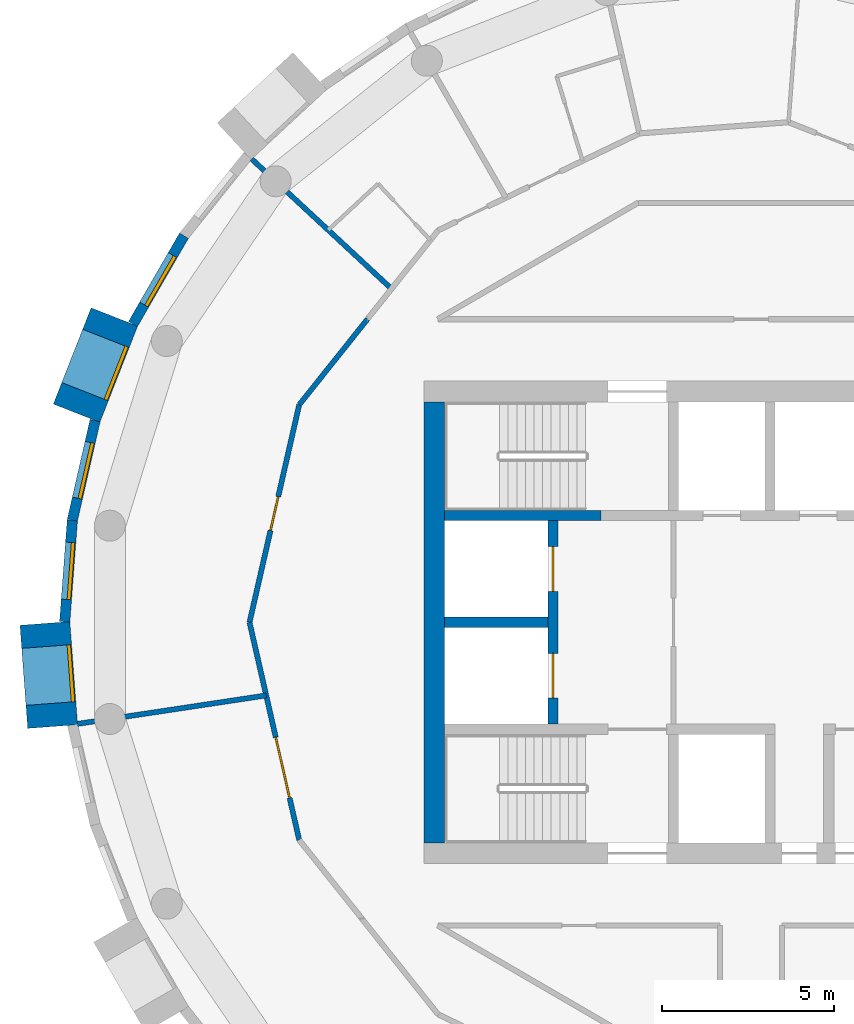
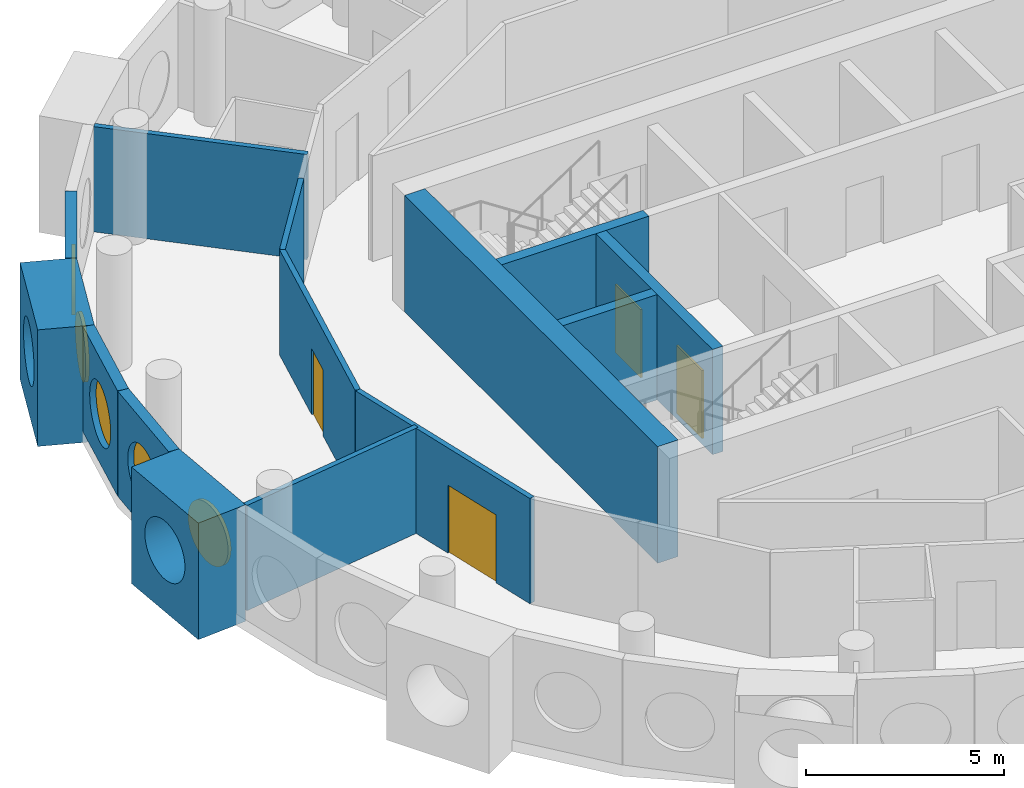
# One storey, part 6 of 13: 14 walls, 5 windows, 4 doors, 9 openings.
"""IFC4 building model written with IfcOpenShell, lengths in metres."""

import ifcopenshell
import ifcopenshell.guid

model = None  # the IFC model being written
_history = None  # IfcOwnerHistory: only IFC2X3 demands one
_inside = {}  # id of a spatial element -> (the spatial element, [elements in it])
_under = {}  # id of a project, library or spatial element -> (it, [spatial elements below it])
_declared = {}  # id of a project -> (the project, [libraries it declares])
_typed = {}  # id of a type object -> (the type object, [elements of that type])
_made_of = {}  # id of a material, layer set ... -> (it, [elements and type objects made of it])


def new_model(schema):
    """Start an empty IFC model of exactly this schema.

    Asked for "IFC4X3", IfcOpenShell would pick the latest addendum, in which some entities
    have other attributes; the version numbers below select the first issue.
    IFC2X3 requires an IfcOwnerHistory on every rooted entity: one is made here for all.
    """
    global model, _history
    if schema == "IFC4X3":
        model = ifcopenshell.file(schema_version=(4, 3, 0, 0))
    else:
        model = ifcopenshell.file(schema=schema)
    _inside.clear()
    _under.clear()
    _declared.clear()
    _typed.clear()
    _made_of.clear()
    _history = None
    if model.schema == "IFC2X3":
        org = make("IfcOrganization", Name="unknown")
        user = make(
            "IfcPersonAndOrganization",
            ThePerson=make("IfcPerson", FamilyName="unknown"),
            TheOrganization=org,
        )
        app = make(
            "IfcApplication",
            ApplicationDeveloper=org,
            Version="unknown",
            ApplicationFullName="unknown",
            ApplicationIdentifier="unknown",
        )
        _history = make(
            "IfcOwnerHistory",
            OwningUser=user,
            OwningApplication=app,
            ChangeAction="ADDED",
            CreationDate=0,
        )
    return model


def make(cls, **values):
    """One entity of the class cls with the attributes given. An attribute that is None is left unset."""
    return model.create_entity(
        cls, **{name: value for name, value in values.items() if value is not None}
    )


def rooted(cls, **values):
    """An entity with a GlobalId (a new one), such as an element, a storey or a relation."""
    return make(cls, GlobalId=ifcopenshell.guid.new(), OwnerHistory=_history, **values)


def si_unit(unit_type, name, prefix=None):
    """IfcSIUnit, for example si_unit("LENGTHUNIT", "METRE", prefix="MILLI")."""
    return make("IfcSIUnit", UnitType=unit_type, Prefix=prefix, Name=name)


def assignment(units):
    """IfcUnitAssignment: the units of a project."""
    return None if units is None else make("IfcUnitAssignment", Units=units)


def point(xyz):
    """IfcCartesianPoint."""
    return None if xyz is None else make("IfcCartesianPoint", Coordinates=xyz)


def direction(xyz):
    """IfcDirection."""
    return None if xyz is None else make("IfcDirection", DirectionRatios=xyz)


def frame(location, z_axis=None, x_axis=None):
    """IfcAxis2Placement3D, a coordinate frame: its origin and axes. An axis left out is left unset."""
    return make(
        "IfcAxis2Placement3D",
        Location=point(location),
        Axis=direction(z_axis),
        RefDirection=direction(x_axis),
    )


def frame_2d(location, x_axis=None):
    """IfcAxis2Placement2D, a coordinate frame in the plane: its origin and x axis."""
    return make(
        "IfcAxis2Placement2D", Location=point(location), RefDirection=direction(x_axis)
    )


def origin():
    """The frame at (0, 0, 0) with its axes left unset."""
    return frame((0.0, 0.0, 0.0))


def origin_2d():
    """The frame at (0, 0) in the plane with its x axis left unset."""
    return frame_2d((0.0, 0.0))


def place(relative_to, where):
    """IfcLocalPlacement: puts the frame where relative to a parent placement (None: the world)."""
    return make(
        "IfcLocalPlacement", PlacementRelTo=relative_to, RelativePlacement=where
    )


def context(
    kind, dimensions, precision=None, world=None, true_north=None, identifier=None
):
    """IfcGeometricRepresentationContext, for example the 3D "Model" context."""
    return make(
        "IfcGeometricRepresentationContext",
        ContextIdentifier=identifier,
        ContextType=kind,
        CoordinateSpaceDimension=dimensions,
        Precision=precision,
        WorldCoordinateSystem=world,
        TrueNorth=true_north,
    )


def subcontext(parent, identifier, kind, view, scale=None):
    """IfcGeometricRepresentationSubContext, for example "Body" below "Model"."""
    return make(
        "IfcGeometricRepresentationSubContext",
        ContextIdentifier=identifier,
        ContextType=kind,
        ParentContext=parent,
        TargetScale=scale,
        TargetView=view,
    )


def project(units=None, contexts=None):
    """IfcProject with its units and contexts."""
    return rooted(
        "IfcProject",
        Name="project",
        RepresentationContexts=contexts,
        UnitsInContext=assignment(units),
    )


def spatial(cls, under=None, at=None, **own):
    """A site, building, storey or space (cls), placed at a placement, below another one or the project."""
    s = rooted(cls, ObjectPlacement=at, **own)
    if under is not None:
        _under.setdefault(under.id(), (under, []))[1].append(s)
    return s


def profile(cls, at=None, kind="AREA", **sizes):
    """A parametric profile (cls). Its sizes go by their IFC names, for example OverallWidth=200.0."""
    return make(cls, ProfileType=kind, Position=at, **sizes)


def rectangle(**sizes):
    """IfcRectangleProfileDef."""
    return profile("IfcRectangleProfileDef", **sizes)


def circle(**sizes):
    """IfcCircleProfileDef."""
    return profile("IfcCircleProfileDef", **sizes)


def extrude(swept, where, along, depth):
    """IfcExtrudedAreaSolid: the profile swept, set in the frame where, extruded along a direction by depth."""
    return make(
        "IfcExtrudedAreaSolid",
        SweptArea=swept,
        Position=where,
        ExtrudedDirection=direction(along),
        Depth=depth,
    )


def shape(context_of_items, identifier, shape_type, items):
    """IfcShapeRepresentation: the items that make up one representation, for example the "Body"."""
    return make(
        "IfcShapeRepresentation",
        ContextOfItems=context_of_items,
        RepresentationIdentifier=identifier,
        RepresentationType=shape_type,
        Items=items,
    )


def material(Name=None, Category=None):
    """IfcMaterial."""
    return make("IfcMaterial", Name=Name, Category=Category)


def layer(
    of_material, thickness, ventilated=None, Name=None, Category=None, Priority=None
):
    """IfcMaterialLayer: one layer of a wall or slab, of a material (None: an air gap)."""
    return make(
        "IfcMaterialLayer",
        Material=of_material,
        LayerThickness=thickness,
        IsVentilated=ventilated,
        Name=Name,
        Category=Category,
        Priority=Priority,
    )


def layer_set(layers, Name=None):
    """IfcMaterialLayerSet."""
    return make("IfcMaterialLayerSet", MaterialLayers=layers, LayerSetName=Name)


def made_of(thing, what):
    """Note that an element or type object is made of a material, layer set ...; save() writes the relation."""
    if what is not None:
        _made_of.setdefault(what.id(), (what, []))[1].append(thing)
    return thing


def type_object(cls, material=None, **own):
    """A type object (cls), such as IfcWallType, which elements share."""
    return made_of(rooted(cls, **own), material)


def element(
    cls,
    number,
    at=None,
    inside=None,
    cuts=None,
    type_object=None,
    material=None,
    context=None,
    identifier="Body",
    shape_type=None,
    held_by="IfcProductDefinitionShape",
    body=None,
    shapes=None,
    **own,
):
    """One element of the class cls, such as IfcWall. Its Tag is "e" and its number.

    at: its placement. inside: the storey or other place that contains it. cuts: it is an
    opening in that element (IfcRelVoidsElement). A single representation is given by context,
    identifier, shape_type and body (its items); several are given by shapes. held_by: the class
    of the entity that holds the representations. save() writes the other relations.
    """
    e = rooted(cls, Tag="e%d" % number, ObjectPlacement=at, **own)
    if body is not None:
        shapes = [shape(context, identifier, shape_type, body)]
    if shapes is not None:
        e.Representation = make(held_by, Representations=shapes)
    if inside is not None:
        _inside.setdefault(inside.id(), (inside, []))[1].append(e)
    if cuts is not None:
        rooted(
            "IfcRelVoidsElement", RelatingBuildingElement=cuts, RelatedOpeningElement=e
        )
    if type_object is not None:
        _typed.setdefault(type_object.id(), (type_object, []))[1].append(e)
    return made_of(e, material)


def fill(opening, filler):
    """IfcRelFillsElement: the door or window that sits in an opening."""
    return rooted(
        "IfcRelFillsElement",
        RelatingOpeningElement=opening,
        RelatedBuildingElement=filler,
    )


def aggregate(whole, parts):
    """IfcRelAggregates: a whole, such as a stair, and the parts it consists of."""
    return rooted("IfcRelAggregates", RelatingObject=whole, RelatedObjects=parts)


def save(model, path):
    """Write the relations noted so far, then the file.

    IfcRelAggregates (storeys below a building ...), IfcRelContainedInSpatialStructure (elements
    in a storey), IfcRelDefinesByType, IfcRelAssociatesMaterial and IfcRelDeclares: one each for
    every whole, place, type object, material and project.
    """
    for whole, parts in _under.values():
        aggregate(whole, parts)
    for where, things in _inside.values():
        rooted(
            "IfcRelContainedInSpatialStructure",
            RelatedElements=things,
            RelatingStructure=where,
        )
    for kind, things in _typed.values():
        rooted("IfcRelDefinesByType", RelatedObjects=things, RelatingType=kind)
    for what, things in _made_of.values():
        rooted("IfcRelAssociatesMaterial", RelatedObjects=things, RelatingMaterial=what)
    for by, libraries in _declared.values():
        rooted("IfcRelDeclares", RelatingContext=by, RelatedDefinitions=libraries)
    model.write(path)


model = new_model("IFC4")

# Units and contexts
model_context = context("Model", 3, precision=1e-05, world=origin(), true_north=direction((0.0, 1.0)))
body_context = subcontext(model_context, "Body", "Model", "MODEL_VIEW")
ifc_project = project(units=[si_unit("LENGTHUNIT", "METRE"), si_unit("AREAUNIT", "SQUARE_METRE"), si_unit("VOLUMEUNIT", "CUBIC_METRE"), si_unit("PLANEANGLEUNIT", "RADIAN"), si_unit("MASSUNIT", "GRAM", prefix="KILO")], contexts=[model_context])

# Site, building, storey
site_placement = place(None, origin())
site = spatial("IfcSite", under=ifc_project, at=site_placement, CompositionType="ELEMENT")
building_placement = place(site_placement, origin())
building = spatial("IfcBuilding", under=site, at=building_placement, Name="Tracery Tower", CompositionType="ELEMENT")
storey_placement = place(building_placement, frame((0.0, 0.0, 316.199951171875)))
storey = spatial("IfcBuildingStorey", under=building, at=storey_placement, Name="L82", CompositionType="ELEMENT", Elevation=316.199951171875)

# Wall
ifc_material_1 = material(Name="Concrete C40/50", Category="concrete")
ifc_layer_1 = layer(ifc_material_1, 0.60009765625)
ifc_layer_set_1 = layer_set([ifc_layer_1], Name="Core wall 600 C40")
wall_type_1 = type_object("IfcWallType", Name="Core wall 600 C40", PredefinedType="SOLIDWALL", material=ifc_layer_set_1)
wall_1_placement = place(storey_placement, frame((-9.199951171875, -6.39990234375, 0.0), z_axis=(0.0, 0.0, 1.0), x_axis=(0.0, 1.0, 0.0)))
element("IfcWall", 1, at=wall_1_placement, inside=storey, type_object=wall_type_1, Name="L82 outer W", PredefinedType="SOLIDWALL", context=body_context, shape_type="SweptSolid", body=[
    extrude(rectangle(XDim=12.7998046875, YDim=0.60009765625, at=frame_2d((6.39990234375, 0.0))), origin(), (0.0, 0.0, 1.0), 3.60009765625),
])

# Wall, opening, window
ifc_material_2 = material(Name="Precast concrete C50/60", Category="concrete")
ifc_layer_2 = layer(ifc_material_2, 1.449951171875)
ifc_layer_set_2 = layer_set([ifc_layer_2], Name="Deep-set bay unit 3000 x 3600, slab edge 350")
wall_type_2 = type_object("IfcWallType", Name="Deep-set bay unit 3000 x 3600, slab edge 350", PredefinedType="ELEMENTEDWALL", material=ifc_layer_set_2)
wall_2_placement = place(storey_placement, frame((-18.47998046875, 8.8642578125, -0.349853515625), z_axis=(0.0, 0.0, 1.0), x_axis=(-0.36537792632, -0.93085926485, 0.0)))
wall_2 = element("IfcWall", 2, at=wall_2_placement, inside=storey, type_object=wall_type_2, Name="Deep-set bay unit 19 at L82", PredefinedType="ELEMENTEDWALL", context=body_context, shape_type="SweptSolid", body=[
    extrude(rectangle(XDim=3.000244140625, YDim=1.449951171875, at=frame_2d((1.5, 0.0))), origin(), (0.0, 0.0, 1.0), 3.599853515625),
])
opening_1_placement = place(wall_2_placement, frame((1.5, 0.0, 1.89990234375)))
opening_1 = element("IfcOpeningElement", 3, at=opening_1_placement, cuts=wall_2, Name="Opening WN1", PredefinedType="OPENING", context=body_context, shape_type="SweptSolid", body=[
    extrude(circle(Radius=0.9000244140625, at=origin_2d()), frame((0.0, 0.73486328125, 0.0), z_axis=(0.0, -1.0, 0.0), x_axis=(1.0, 0.0, 0.0)), (0.0, 0.0, 1.0), 1.469970703125),
])
ifc_material_3 = material(Name="Aluminium frame with tinted double glazing", Category="aluminium")
window_type = type_object("IfcWindowType", Name="Round window 1800", PartitioningType="SINGLE_PANEL", PredefinedType="WINDOW", material=ifc_material_3)
window_1_placement = place(opening_1_placement, origin())
window_1 = element("IfcWindow", 4, at=window_1_placement, inside=storey, type_object=window_type, Name="Round window 19 at L82", OverallHeight=1.800048828125, OverallWidth=1.800048828125, PartitioningType="SINGLE_PANEL", PredefinedType="WINDOW", context=body_context, shape_type="SweptSolid", body=[
    extrude(circle(Radius=0.9000244140625, at=origin_2d()), frame((0.0, 0.69482421875, 0.0), z_axis=(0.0, -1.0, 0.0), x_axis=(1.0, 0.0, 0.0)), (0.0, 0.0, 1.0), 0.10009765625),
])
fill(opening_1, window_1)

wall_3_placement = place(storey_placement, frame((-20.49609375, -0.03173828125, -0.349853515625), z_axis=(0.0, 0.0, 1.0), x_axis=(0.074785902127, -0.997199613339, 0.0)))
wall_3 = element("IfcWall", 5, at=wall_3_placement, inside=storey, type_object=wall_type_2, Name="Deep-set bay unit 22 at L82", PredefinedType="ELEMENTEDWALL", context=body_context, shape_type="SweptSolid", body=[
    extrude(rectangle(XDim=3.0, YDim=1.449951171875, at=frame_2d((1.5, 0.0))), origin(), (0.0, 0.0, 1.0), 3.599853515625),
])
opening_2_placement = place(wall_3_placement, frame((1.5, 0.0, 1.89990234375)))
opening_2 = element("IfcOpeningElement", 6, at=opening_2_placement, cuts=wall_3, Name="Opening WN1", PredefinedType="OPENING", context=body_context, shape_type="SweptSolid", body=[
    extrude(circle(Radius=0.9000244140625, at=origin_2d()), frame((0.0, 0.73486328125, 0.0), z_axis=(0.0, -1.0, 0.0), x_axis=(1.0, 0.0, 0.0)), (0.0, 0.0, 1.0), 1.469970703125),
])
window_2_placement = place(opening_2_placement, origin())
window_2 = element("IfcWindow", 7, at=window_2_placement, inside=storey, type_object=window_type, Name="Round window 22 at L82", OverallHeight=1.800048828125, OverallWidth=1.800048828125, PartitioningType="SINGLE_PANEL", PredefinedType="WINDOW", context=body_context, shape_type="SweptSolid", body=[
    extrude(circle(Radius=0.9000244140625, at=origin_2d()), frame((0.0, 0.69482421875, 0.0), z_axis=(0.0, -1.0, 0.0), x_axis=(1.0, 0.0, 0.0)), (0.0, 0.0, 1.0), 0.10009765625),
])
fill(opening_2, window_2)

ifc_material_4 = material(Name="Precast concrete C50/60", Category="concrete")
ifc_layer_3 = layer(ifc_material_4, 0.300048828125)
ifc_layer_set_3 = layer_set([ifc_layer_3], Name="Facade panel 3000 x 3250")
wall_type_3 = type_object("IfcWallType", Name="Facade panel 3000 x 3250", PredefinedType="SOLIDWALL", material=ifc_layer_set_3)
wall_4_placement = place(storey_placement, frame((-16.460205078125, 11.222412109375, 0.0), z_axis=(0.0, 0.0, 1.0), x_axis=(-0.499950756475, -0.86605383268, 0.0)))
wall_4 = element("IfcWall", 8, at=wall_4_placement, inside=storey, type_object=wall_type_3, Name="Facade panel 18 at L82", PredefinedType="SOLIDWALL", context=body_context, shape_type="SweptSolid", body=[
    extrude(rectangle(XDim=2.962158203125, YDim=0.300048828125, at=frame_2d((1.48095703125, 0.0))), origin(), (0.0, 0.0, 1.0), 3.25),
])
opening_3_placement = place(wall_4_placement, frame((1.48095703125, 0.0, 1.5498046875)))
opening_3 = element("IfcOpeningElement", 9, at=opening_3_placement, cuts=wall_4, Name="Opening WN1", PredefinedType="OPENING", context=body_context, shape_type="SweptSolid", body=[
    extrude(circle(Radius=0.9000244140625, at=origin_2d()), frame((0.0, 0.159912109375, 0.0), z_axis=(0.0, -1.0, 0.0), x_axis=(1.0, 0.0, 0.0)), (0.0, 0.0, 1.0), 0.320068359375),
])
window_3_placement = place(opening_3_placement, origin())
window_3 = element("IfcWindow", 10, at=window_3_placement, inside=storey, type_object=window_type, Name="Round window 18 at L82", OverallHeight=1.800048828125, OverallWidth=1.800048828125, PartitioningType="SINGLE_PANEL", PredefinedType="WINDOW", context=body_context, shape_type="SweptSolid", body=[
    extrude(circle(Radius=0.9000244140625, at=origin_2d()), frame((0.0, 0.1201171875, 0.0), z_axis=(0.0, -1.0, 0.0), x_axis=(1.0, 0.0, 0.0)), (0.0, 0.0, 1.0), 0.10009765625),
])
fill(opening_3, window_3)

wall_5_placement = place(storey_placement, frame((-19.0400390625, 5.857177734375, 0.0), z_axis=(0.0, 0.0, 1.0), x_axis=(-0.222529389789, -0.974925982155, 0.0)))
wall_5 = element("IfcWall", 11, at=wall_5_placement, inside=storey, type_object=wall_type_3, Name="Facade panel 20 at L82", PredefinedType="SOLIDWALL", context=body_context, shape_type="SweptSolid", body=[
    extrude(rectangle(XDim=2.962158203125, YDim=0.300048828125, at=frame_2d((1.48095703125, 0.0))), origin(), (0.0, 0.0, 1.0), 3.25),
])
opening_4_placement = place(wall_5_placement, frame((1.48095703125, 0.0, 1.5498046875)))
opening_4 = element("IfcOpeningElement", 12, at=opening_4_placement, cuts=wall_5, Name="Opening WN1", PredefinedType="OPENING", context=body_context, shape_type="SweptSolid", body=[
    extrude(circle(Radius=0.9000244140625, at=origin_2d()), frame((0.0, 0.159912109375, 0.0), z_axis=(0.0, -1.0, 0.0), x_axis=(1.0, 0.0, 0.0)), (0.0, 0.0, 1.0), 0.320068359375),
])
window_4_placement = place(opening_4_placement, origin())
window_4 = element("IfcWindow", 13, at=window_4_placement, inside=storey, type_object=window_type, Name="Round window 20 at L82", OverallHeight=1.800048828125, OverallWidth=1.800048828125, PartitioningType="SINGLE_PANEL", PredefinedType="WINDOW", context=body_context, shape_type="SweptSolid", body=[
    extrude(circle(Radius=0.9000244140625, at=origin_2d()), frame((0.0, 0.1201171875, 0.0), z_axis=(0.0, -1.0, 0.0), x_axis=(1.0, 0.0, 0.0)), (0.0, 0.0, 1.0), 0.10009765625),
])
fill(opening_4, window_4)

wall_6_placement = place(storey_placement, frame((-19.69921875, 2.96923828125, 0.0), z_axis=(0.0, 0.0, 1.0), x_axis=(-0.07474897196, -0.997202382263, 0.0)))
wall_6 = element("IfcWall", 14, at=wall_6_placement, inside=storey, type_object=wall_type_3, Name="Facade panel 21 at L82", PredefinedType="SOLIDWALL", context=body_context, shape_type="SweptSolid", body=[
    extrude(rectangle(XDim=2.96240234375, YDim=0.300048828125, at=frame_2d((1.481201171875, 0.0))), origin(), (0.0, 0.0, 1.0), 3.25),
])
opening_5_placement = place(wall_6_placement, frame((1.48095703125, 0.0, 1.5498046875)))
opening_5 = element("IfcOpeningElement", 15, at=opening_5_placement, cuts=wall_6, Name="Opening WN1", PredefinedType="OPENING", context=body_context, shape_type="SweptSolid", body=[
    extrude(circle(Radius=0.9000244140625, at=origin_2d()), frame((0.0, 0.159912109375, 0.0), z_axis=(0.0, -1.0, 0.0), x_axis=(1.0, 0.0, 0.0)), (0.0, 0.0, 1.0), 0.320068359375),
])
window_5_placement = place(opening_5_placement, origin())
window_5 = element("IfcWindow", 16, at=window_5_placement, inside=storey, type_object=window_type, Name="Round window 21 at L82", OverallHeight=1.800048828125, OverallWidth=1.800048828125, PartitioningType="SINGLE_PANEL", PredefinedType="WINDOW", context=body_context, shape_type="SweptSolid", body=[
    extrude(circle(Radius=0.9000244140625, at=origin_2d()), frame((0.0, 0.1201171875, 0.0), z_axis=(0.0, -1.0, 0.0), x_axis=(1.0, 0.0, 0.0)), (0.0, 0.0, 1.0), 0.10009765625),
])
fill(opening_5, window_5)

# Walls
ifc_material_5 = material(Name="Plasterboard on steel studs", Category="steel")
ifc_layer_4 = layer(ifc_material_5, 0.14990234375)
ifc_layer_set_4 = layer_set([ifc_layer_4], Name="Partition 150 acoustic unit wall")
wall_type_4 = type_object("IfcWallType", Name="Partition 150 acoustic unit wall", PredefinedType="PARTITIONING", material=ifc_layer_set_4)
wall_7_placement = place(storey_placement, frame((-14.492919921875, 13.447998046875, 0.0), z_axis=(0.0, 0.0, 1.0), x_axis=(0.732845293448, -0.680395308531, 0.0)))
element("IfcWall", 17, at=wall_7_placement, inside=storey, type_object=wall_type_4, Name="Unit wall RC9-056", PredefinedType="PARTITIONING", context=body_context, shape_type="SweptSolid", body=[
    extrude(rectangle(XDim=5.5390625, YDim=0.14990234375, at=frame_2d((2.76953125, 0.0))), origin(), (0.0, 0.0, 1.0), 3.25),
])
wall_8_placement = place(storey_placement, frame((-19.551025390625, -2.947021484375, 0.0), z_axis=(0.0, 0.0, 1.0), x_axis=(0.988824228734, 0.149086031099, 0.0)))
element("IfcWall", 18, at=wall_8_placement, inside=storey, type_object=wall_type_4, Name="Unit wall RC9-057", PredefinedType="PARTITIONING", context=body_context, shape_type="SweptSolid", body=[
    extrude(rectangle(XDim=5.5400390625, YDim=0.14990234375, at=frame_2d((2.77001953125, 0.0))), origin(), (0.0, 0.0, 1.0), 3.25),
])

# Wall, opening, door
ifc_material_6 = material(Name="Plasterboard on steel studs", Category="steel")
ifc_layer_5 = layer(ifc_material_6, 0.14990234375)
ifc_layer_set_5 = layer_set([ifc_layer_5], Name="Partition 150 corridor wall")
wall_type_5 = type_object("IfcWallType", Name="Partition 150 corridor wall", PredefinedType="PARTITIONING", material=ifc_layer_set_5)
wall_9_placement = place(storey_placement, frame((-14.556884765625, 0.0, 0.0), z_axis=(0.0, 0.0, 1.0), x_axis=(0.222489165471, -0.974935162587, 0.0)))
wall_9 = element("IfcWall", 19, at=wall_9_placement, inside=storey, type_object=wall_type_5, Name="Corridor wall RC9-030", PredefinedType="PARTITIONING", context=body_context, shape_type="SweptSolid", body=[
    extrude(rectangle(XDim=6.478515625, YDim=0.14990234375, at=frame_2d((3.2392578125, 0.0))), origin(), (0.0, 0.0, 1.0), 3.25),
])
opening_6_placement = place(wall_9_placement, frame((3.424560546875, 0.0, 0.0)))
opening_6 = element("IfcOpeningElement", 20, at=opening_6_placement, cuts=wall_9, Name="Opening RC9-14", PredefinedType="OPENING", context=body_context, shape_type="SweptSolid", body=[
    extrude(rectangle(XDim=1.800048828125, YDim=2.10009765625, at=frame_2d((0.89990234375, 1.050048828125))), frame((0.0, 0.074951171875, 0.0), z_axis=(0.0, -1.0, 0.0), x_axis=(1.0, 0.0, 0.0)), (0.0, 0.0, 1.0), 0.14990234375),
])
ifc_material_7 = material(Name="Timber door leaf", Category="wood")
door_type_1 = type_object("IfcDoorType", Name="Door double lounge 1800", OperationType="NOTDEFINED", PredefinedType="DOOR", material=ifc_material_7)
door_1_placement = place(opening_6_placement, origin())
door_1 = element("IfcDoor", 21, at=door_1_placement, inside=storey, type_object=door_type_1, Name="Double lounge door RC9-14", OperationType="DOUBLE_DOOR_SINGLE_SWING", OverallHeight=2.10009765625, OverallWidth=1.800048828125, PredefinedType="DOOR", context=body_context, shape_type="SweptSolid", body=[
    extrude(rectangle(XDim=1.800048828125, YDim=2.10009765625, at=frame_2d((0.89990234375, 1.050048828125))), frame((0.0, 0.02490234375, 0.0), z_axis=(0.0, -1.0, 0.0), x_axis=(1.0, 0.0, 0.0)), (0.0, 0.0, 1.0), 0.050048828125),
])
fill(opening_6, door_1)

wall_10_placement = place(storey_placement, frame((-14.556884765625, 0.0, 0.0), z_axis=(0.0, 0.0, 1.0), x_axis=(0.222568978642, 0.97491694505, 0.0)))
wall_10 = element("IfcWall", 22, at=wall_10_placement, inside=storey, type_object=wall_type_5, Name="Corridor wall RC9-031", PredefinedType="PARTITIONING", context=body_context, shape_type="SweptSolid", body=[
    extrude(rectangle(XDim=6.478515625, YDim=0.14990234375, at=frame_2d((3.2392578125, 0.0))), origin(), (0.0, 0.0, 1.0), 3.25),
])
opening_7_placement = place(wall_10_placement, frame((2.739013671875, 0.0, 0.0)))
opening_7 = element("IfcOpeningElement", 23, at=opening_7_placement, cuts=wall_10, Name="Opening RC9-13", PredefinedType="OPENING", context=body_context, shape_type="SweptSolid", body=[
    extrude(rectangle(XDim=1.0, YDim=2.0400390625, at=frame_2d((0.5, 1.02001953125))), frame((0.0, 0.074951171875, 0.0), z_axis=(0.0, -1.0, 0.0), x_axis=(1.0, 0.0, 0.0)), (0.0, 0.0, 1.0), 0.14990234375),
])
ifc_material_8 = material(Name="Timber door leaf", Category="wood")
door_type_2 = type_object("IfcDoorType", Name="Door communal room 1000", OperationType="NOTDEFINED", PredefinedType="DOOR", material=ifc_material_8)
door_2_placement = place(opening_7_placement, origin())
door_2 = element("IfcDoor", 24, at=door_2_placement, inside=storey, type_object=door_type_2, Name="Communal room door RC9-13", OperationType="SINGLE_SWING_LEFT", OverallHeight=2.0400390625, OverallWidth=1.0, PredefinedType="DOOR", context=body_context, shape_type="SweptSolid", body=[
    extrude(rectangle(XDim=1.0, YDim=2.0400390625, at=frame_2d((0.5, 1.02001953125))), frame((0.0, 0.02490234375, 0.0), z_axis=(0.0, -1.0, 0.0), x_axis=(1.0, 0.0, 0.0)), (0.0, 0.0, 1.0), 0.050048828125),
])
fill(opening_7, door_2)

# Walls
wall_11_placement = place(storey_placement, frame((-13.114990234375, 6.31591796875, 0.0), z_axis=(0.0, 0.0, 1.0), x_axis=(0.623476099415, 0.781842409606, 0.0)))
element("IfcWall", 25, at=wall_11_placement, inside=storey, type_object=wall_type_5, Name="Corridor wall RC9-032", PredefinedType="PARTITIONING", context=body_context, shape_type="SweptSolid", body=[
    extrude(rectangle(XDim=3.17724609375, YDim=0.14990234375, at=frame_2d((1.588623046875, 0.0))), origin(), (0.0, 0.0, 1.0), 3.25),
])
ifc_material_9 = material(Name="Concrete C40/50", Category="concrete")
ifc_layer_6 = layer(ifc_material_9, 0.300048828125)
ifc_layer_set_6 = layer_set([ifc_layer_6], Name="Shaft wall 300 C40")
wall_type_6 = type_object("IfcWallType", Name="Shaft wall 300 C40", PredefinedType="SOLIDWALL", material=ifc_layer_set_6)
wall_12_placement = place(storey_placement, frame((-8.89990234375, 0.0, 0.0), z_axis=(0.0, 0.0, 1.0), x_axis=(1.0, 0.0, 0.0)))
element("IfcWall", 26, at=wall_12_placement, inside=storey, type_object=wall_type_6, Name="L82 FF split", PredefinedType="SOLIDWALL", context=body_context, shape_type="SweptSolid", body=[
    extrude(rectangle(XDim=3.0, YDim=0.300048828125, at=frame_2d((1.5, 0.0))), origin(), (0.0, 0.0, 1.0), 3.25),
])

# Wall, openings, doors
wall_13_placement = place(storey_placement, frame((-5.75, -2.949951171875, 0.0), z_axis=(0.0, 0.0, 1.0), x_axis=(0.0, 1.0, 0.0)))
wall_13 = element("IfcWall", 27, at=wall_13_placement, inside=storey, type_object=wall_type_6, Name="L82 FF doors", PredefinedType="SOLIDWALL", context=body_context, shape_type="SweptSolid", body=[
    extrude(rectangle(XDim=5.89990234375, YDim=0.300048828125, at=frame_2d((2.949951171875, 0.0))), origin(), (0.0, 0.0, 1.0), 3.25),
])
opening_8_placement = place(wall_13_placement, frame((0.75, 0.0, 0.0)))
opening_8 = element("IfcOpeningElement", 28, at=opening_8_placement, cuts=wall_13, Name="Opening KD54", PredefinedType="OPENING", context=body_context, shape_type="SweptSolid", body=[
    extrude(rectangle(XDim=1.300048828125, YDim=2.10009765625, at=frame_2d((0.64990234375, 1.050048828125))), frame((0.0, 0.14990234375, 0.0), z_axis=(0.0, -1.0, 0.0), x_axis=(1.0, 0.0, 0.0)), (0.0, 0.0, 1.0), 0.300048828125),
])
opening_9_placement = place(wall_13_placement, frame((3.85009765625, 0.0, 0.0)))
opening_9 = element("IfcOpeningElement", 29, at=opening_9_placement, cuts=wall_13, Name="Opening KD55", PredefinedType="OPENING", context=body_context, shape_type="SweptSolid", body=[
    extrude(rectangle(XDim=1.300048828125, YDim=2.10009765625, at=frame_2d((0.64990234375, 1.050048828125))), frame((0.0, 0.14990234375, 0.0), z_axis=(0.0, -1.0, 0.0), x_axis=(1.0, 0.0, 0.0)), (0.0, 0.0, 1.0), 0.300048828125),
])
ifc_material_10 = material(Name="Steel fire door", Category="steel")
door_type_3 = type_object("IfcDoorType", Name="Landing door FF 1300", OperationType="NOTDEFINED", PredefinedType="DOOR", material=ifc_material_10)
door_3_placement = place(opening_8_placement, origin())
door_3 = element("IfcDoor", 30, at=door_3_placement, inside=storey, type_object=door_type_3, Name="Landing door FF1", OperationType="SLIDING_TO_LEFT", OverallHeight=2.10009765625, OverallWidth=1.300048828125, PredefinedType="DOOR", context=body_context, shape_type="SweptSolid", body=[
    extrude(rectangle(XDim=1.300048828125, YDim=2.10009765625, at=frame_2d((0.64990234375, 1.050048828125))), frame((0.0, 0.02490234375, 0.0), z_axis=(0.0, -1.0, 0.0), x_axis=(1.0, 0.0, 0.0)), (0.0, 0.0, 1.0), 0.050048828125),
])
fill(opening_8, door_3)
door_4_placement = place(opening_9_placement, origin())
door_4 = element("IfcDoor", 31, at=door_4_placement, inside=storey, type_object=door_type_3, Name="Landing door FF2", OperationType="SLIDING_TO_RIGHT", OverallHeight=2.10009765625, OverallWidth=1.300048828125, PredefinedType="DOOR", context=body_context, shape_type="SweptSolid", body=[
    extrude(rectangle(XDim=1.300048828125, YDim=2.10009765625, at=frame_2d((0.64990234375, 1.050048828125))), frame((0.0, 0.02490234375, 0.0), z_axis=(0.0, -1.0, 0.0), x_axis=(1.0, 0.0, 0.0)), (0.0, 0.0, 1.0), 0.050048828125),
])
fill(opening_9, door_4)

# Wall
ifc_material_11 = material(Name="Concrete C40/50", Category="concrete")
ifc_layer_7 = layer(ifc_material_11, 0.300048828125)
ifc_layer_set_7 = layer_set([ifc_layer_7], Name="Stair wall 300 C40")
wall_type_7 = type_object("IfcWallType", Name="Stair wall 300 C40", PredefinedType="SOLIDWALL", material=ifc_layer_set_7)
wall_14_placement = place(storey_placement, frame((-8.89990234375, 3.10009765625, 0.0), z_axis=(0.0, 0.0, 1.0), x_axis=(1.0, 0.0, 0.0)))
element("IfcWall", 32, at=wall_14_placement, inside=storey, type_object=wall_type_7, Name="L82 row N W", PredefinedType="SOLIDWALL", context=body_context, shape_type="SweptSolid", body=[
    extrude(rectangle(XDim=4.5498046875, YDim=0.300048828125, at=frame_2d((2.27490234375, 0.0))), origin(), (0.0, 0.0, 1.0), 3.25),
])

save(model, "model.ifc")
